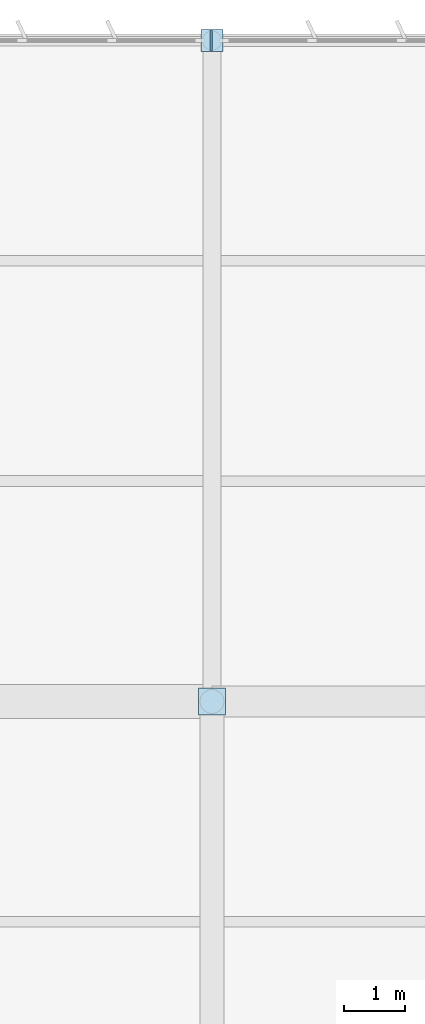
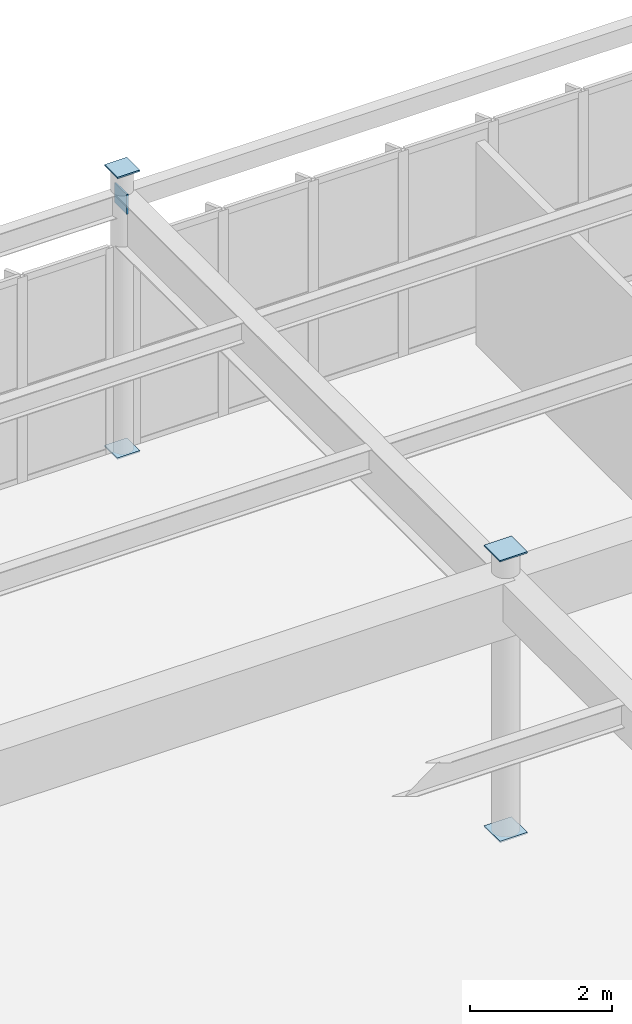
# One storey, part 186 of 226: 5 plates.
"""IFC4 building model written with IfcOpenShell, lengths in metres."""

from ifc_helpers import new_model, si_unit, direction, frame, origin, origin_2d, place, context, subcontext, project, spatial, rectangle, extrude, material, layer, layer_set, type_object, element, save


model = new_model("IFC4")

# Units and contexts
model_context = context("Model", 3, precision=1e-05, world=origin(), true_north=direction((0.0, 1.0)))
body_context = subcontext(model_context, "Body", "Model", "MODEL_VIEW")
ifc_project = project(units=[si_unit("LENGTHUNIT", "METRE"), si_unit("AREAUNIT", "SQUARE_METRE"), si_unit("VOLUMEUNIT", "CUBIC_METRE"), si_unit("PLANEANGLEUNIT", "RADIAN"), si_unit("MASSUNIT", "GRAM", prefix="KILO")], contexts=[model_context])

# Site, building, storey
site_placement = place(None, origin())
site = spatial("IfcSite", under=ifc_project, at=site_placement, CompositionType="ELEMENT")
building_placement = place(site_placement, origin())
building = spatial("IfcBuilding", under=site, at=building_placement, Name="Tarnwether General Hospital", CompositionType="ELEMENT")
storey_placement = place(building_placement, frame((0.0, 0.0, 4.800048828125)))
storey = spatial("IfcBuildingStorey", under=building, at=storey_placement, Name="L01", CompositionType="ELEMENT", Elevation=4.800048828125)

# Plates
ifc_material = material(Name="Steel Grade 350 (350 MPa)", Category="steel")
ifc_layer = layer(ifc_material, 0.02490234375)
ifc_layer_set = layer_set([ifc_layer], Name="Steel Grade 350 (350 MPa)")
plate_type = type_object("IfcPlateType", Name="PT-GUS2", PredefinedType="USERDEFINED", material=ifc_layer_set)
for number, where, z_axis, x_axis, name in (
    (1, (180.0, 115.199951171875, -0.02490234375), (0.0, 0.0, 1.0), (1.0, 0.0, 0.0), "Hollow Section Welded End Cap Plate 0389"),
    (2, (180.0, 115.199951171875, 4.800048828125), (0.0, 0.0, 1.0), (1.0, 0.0, 0.0), "Hollow Section Welded End Cap Plate 0390"),
):
    element("IfcPlate", number, at=place(storey_placement, frame(where, z_axis=z_axis, x_axis=x_axis)), inside=storey, type_object=plate_type, Name=name, ObjectType="GUSSET", PredefinedType="USERDEFINED", context=body_context, shape_type="SweptSolid", body=[
        extrude(rectangle(XDim=0.446044921875, YDim=0.446044921875, at=origin_2d()), origin(), (0.0, 0.0, 1.0), 0.02490234375),
    ])
for number, where, z_axis, x_axis, name in (
    (3, (180.0, 126.0, -0.02490234375), (0.0, 0.0, 1.0), (1.0, 0.0, 0.0), "Hollow Section Welded End Cap Plate 0395"),
    (4, (180.0, 126.0, 4.800048828125), (0.0, 0.0, 1.0), (1.0, 0.0, 0.0), "Hollow Section Welded End Cap Plate 0396"),
):
    element("IfcPlate", number, at=place(storey_placement, frame(where, z_axis=z_axis, x_axis=x_axis)), inside=storey, type_object=plate_type, Name=name, ObjectType="GUSSET", PredefinedType="USERDEFINED", context=body_context, shape_type="SweptSolid", body=[
        extrude(rectangle(XDim=0.364013671875, YDim=0.364013671875, at=origin_2d()), origin(), (0.0, 0.0, 1.0), 0.02490234375),
    ])
plate_placement = place(storey_placement, frame((179.987548828125, 126.0, 4.125), z_axis=(0.0, 0.0, 1.0), x_axis=(1.0, 0.0, 0.0)))
element("IfcPlate", 5, at=plate_placement, inside=storey, type_object=plate_type, Name="Hollow Section Welded End Cap Plate 0939", ObjectType="GUSSET", PredefinedType="USERDEFINED", context=body_context, shape_type="SweptSolid", body=[
    extrude(rectangle(XDim=0.02490234375, YDim=0.340087890625, at=origin_2d()), origin(), (0.0, 0.0, 1.0), 0.340087890625),
])

save(model, "model.ifc")
